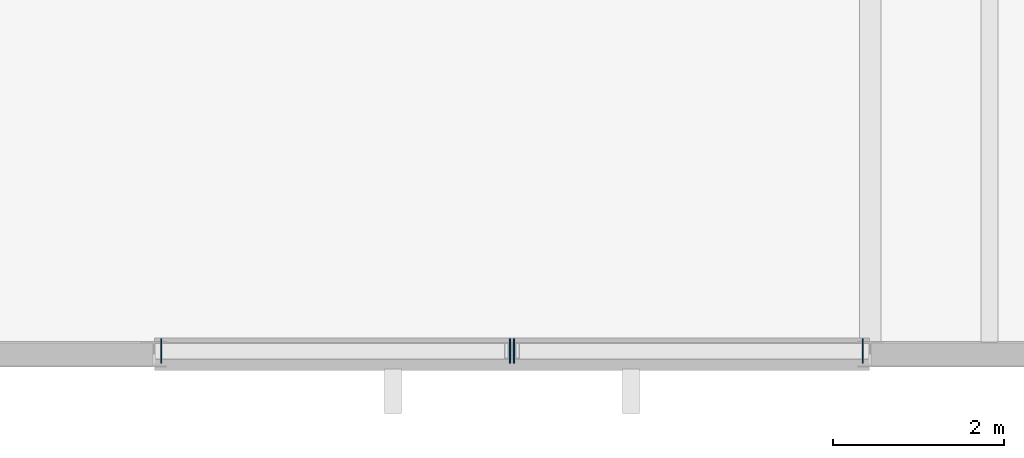
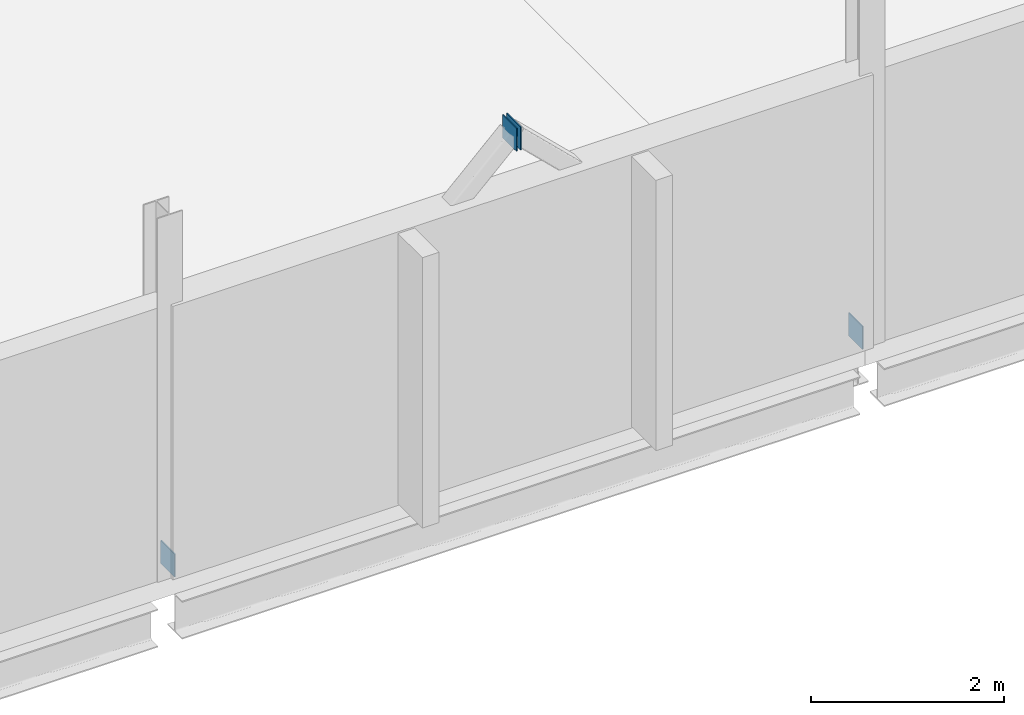
# One storey, part 108 of 136: 4 plates.
"""IFC4 building model written with IfcOpenShell, lengths in metres."""

from ifc_helpers import new_model, si_unit, direction, frame, origin, origin_2d, place, context, subcontext, project, spatial, rectangle, extrude, material, layer, layer_set, type_object, element, save


model = new_model("IFC4")

# Units and contexts
model_context = context("Model", 3, precision=1e-05, world=origin(), true_north=direction((0.0, 1.0)))
body_context = subcontext(model_context, "Body", "Model", "MODEL_VIEW")
ifc_project = project(units=[si_unit("LENGTHUNIT", "METRE"), si_unit("AREAUNIT", "SQUARE_METRE"), si_unit("VOLUMEUNIT", "CUBIC_METRE"), si_unit("PLANEANGLEUNIT", "RADIAN"), si_unit("MASSUNIT", "GRAM", prefix="KILO")], contexts=[model_context])

# Site, building, storey
site_placement = place(None, origin())
site = spatial("IfcSite", under=ifc_project, at=site_placement, CompositionType="ELEMENT")
building_placement = place(site_placement, origin())
building = spatial("IfcBuilding", under=site, at=building_placement, Name="Shengluoqiao Park Theatre", CompositionType="ELEMENT")
storey_placement = place(building_placement, frame((0.0, 0.0, 10.0)))
storey = spatial("IfcBuildingStorey", under=building, at=storey_placement, Name="L02", CompositionType="ELEMENT", Elevation=10.0)

# Plates
ifc_material = material(Name="Steel Q355", Category="steel")
ifc_layer = layer(ifc_material, 0.013916015625, Name="Steel Q355")
ifc_layer_set = layer_set([ifc_layer], Name="Steel Q355")
plate_type = type_object("IfcPlateType", Name="STR-PLT-EC-280", PredefinedType="SHEET", material=ifc_layer_set)
for number, where, z_axis, x_axis, name in (
    (1, (19.286865234375, 0.0400390625, -0.04150390625), (0.0, 0.0, 1.0), (1.0, 0.0, 0.0), "Hollow Tube End Cap Plate 00188"),
    (2, (23.376220703125, 0.0400390625, 3.912109375), (0.0, 0.0, 1.0), (1.0, 0.0, 0.0), "Hollow Tube End Cap Plate 00189"),
    (3, (27.51318359375, 0.0400390625, -0.04150390625), (0.0, 0.0, 1.0), (-1.0, 0.0, 0.0), "Hollow Tube End Cap Plate 00190"),
    (4, (23.423828125, 0.0400390625, 3.912109375), (0.0, 0.0, 1.0), (-1.0, 0.0, 0.0), "Hollow Tube End Cap Plate 00191"),
):
    element("IfcPlate", number, at=place(storey_placement, frame(where, z_axis=z_axis, x_axis=x_axis)), inside=storey, type_object=plate_type, Name=name, PredefinedType="SHEET", context=body_context, shape_type="SweptSolid", body=[
        extrude(rectangle(XDim=0.013916015625, YDim=0.2900390625, at=origin_2d()), origin(), (0.0, 0.0, 1.0), 0.2900390625),
    ])

save(model, "model.ifc")
